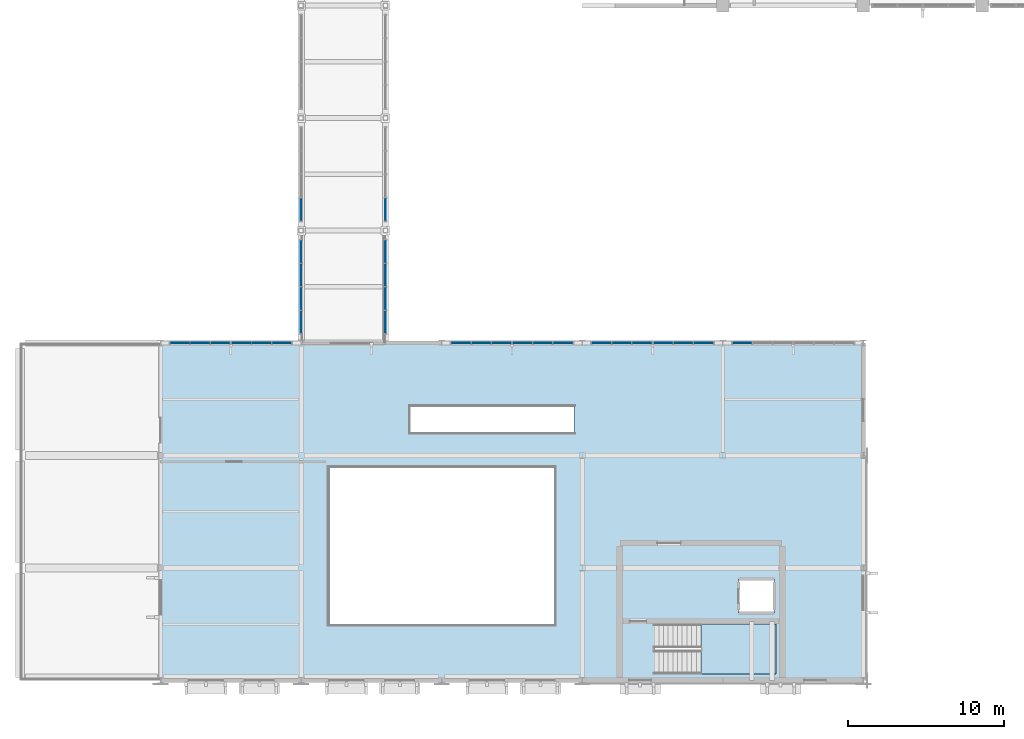
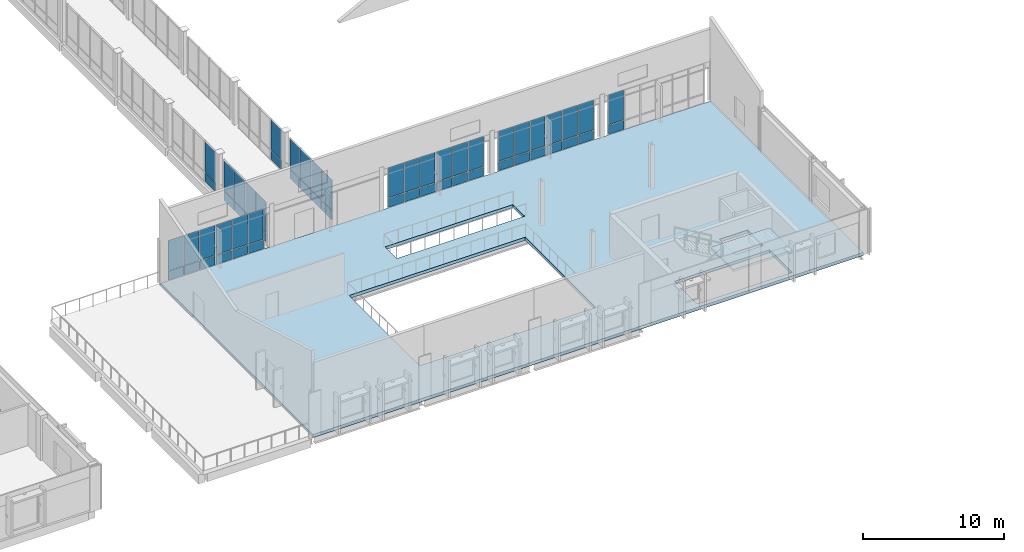
# One storey, part 44 of 85: 58 plates, 2 slabs, 12 elements without a shape of their own.
"""IFC4 building model written with IfcOpenShell, lengths in metres."""

from ifc_helpers import new_model, si_unit, direction, frame, origin, origin_2d, place, context, subcontext, project, spatial, polyline, rectangle, outline, extrude, material, layer, layer_set, type_object, element, aggregate, save


model = new_model("IFC4")

# Units and contexts
model_context = context("Model", 3, precision=1e-05, world=origin(), true_north=direction((0.0, 1.0)))
body_context = subcontext(model_context, "Body", "Model", "MODEL_VIEW")
ifc_project = project(units=[si_unit("LENGTHUNIT", "METRE"), si_unit("AREAUNIT", "SQUARE_METRE"), si_unit("VOLUMEUNIT", "CUBIC_METRE"), si_unit("PLANEANGLEUNIT", "RADIAN"), si_unit("MASSUNIT", "GRAM", prefix="KILO")], contexts=[model_context])

# Site, building, storey
site_placement = place(None, origin())
site = spatial("IfcSite", under=ifc_project, at=site_placement, CompositionType="ELEMENT")
building_placement = place(site_placement, origin())
building = spatial("IfcBuilding", under=site, at=building_placement, Name="Vervanel Yard Central Library", CompositionType="ELEMENT")
storey_placement = place(building_placement, frame((0.0, 0.0, 5.10009765625)))
storey = spatial("IfcBuildingStorey", under=building, at=storey_placement, Name="L01", CompositionType="ELEMENT", Elevation=5.10009765625)

# Curtain wall, plates
ifc_material_1 = material(Name="Thermally broken anodized aluminium 6063-T6", Category="aluminium")
curtain_wall_type_1 = type_object("IfcCurtainWallType", Name="Boulevard Cafe & Bridge Curtain Wall", PredefinedType="NOTDEFINED", material=ifc_material_1)
curtain_wall_1_placement = place(storey_placement, origin())
curtain_wall_1 = element("IfcCurtainWall", 1, at=curtain_wall_1_placement, inside=storey, type_object=curtain_wall_type_1, Name="L01 Boulevard Cafe & Bridge Curtain Wall CWR-L01-176", PredefinedType="NOTDEFINED")
ifc_material_2 = material(Name="Insulated bronze aluminium spandrel panel", Category="aluminium")
ifc_layer_1 = layer(ifc_material_2, 0.070068359375, Category="aluminium")
ifc_layer_set_1 = layer_set([ifc_layer_1], Name="Insulated bronze aluminium spandrel panel")
plate_type_1 = type_object("IfcPlateType", Name="Bridge Fascia Spandrel Panel 70", PredefinedType="CURTAIN_PANEL", material=ifc_layer_set_1)
plate_1_placement = place(storey_placement, frame((72.0, 22.9423828125, 0.06005859375), z_axis=(0.0, 0.0, 1.0), x_axis=(0.0, 1.0, 0.0)))
plate_1 = element("IfcPlate", 2, at=plate_1_placement, type_object=plate_type_1, Name="CWR-L01-176 Panel B1-1", PredefinedType="CURTAIN_PANEL", context=body_context, shape_type="SweptSolid", body=[
    extrude(rectangle(XDim=1.445068359375, YDim=0.070068359375, at=origin_2d()), origin(), (0.0, 0.0, 1.0), 0.760009765625),
])
plate_2_placement = place(storey_placement, frame((72.0, 24.447509765625, 0.06005859375), z_axis=(0.0, 0.0, 1.0), x_axis=(0.0, 1.0, 0.0)))
plate_2 = element("IfcPlate", 3, at=plate_2_placement, type_object=plate_type_1, Name="CWR-L01-176 Panel B2-1", PredefinedType="CURTAIN_PANEL", context=body_context, shape_type="SweptSolid", body=[
    extrude(rectangle(XDim=1.445068359375, YDim=0.070068359375, at=origin_2d()), origin(), (0.0, 0.0, 1.0), 0.760009765625),
])
plate_3_placement = place(storey_placement, frame((72.0, 25.952392578125, 0.06005859375), z_axis=(0.0, 0.0, 1.0), x_axis=(0.0, 1.0, 0.0)))
plate_3 = element("IfcPlate", 4, at=plate_3_placement, type_object=plate_type_1, Name="CWR-L01-176 Panel B3-1", PredefinedType="CURTAIN_PANEL", context=body_context, shape_type="SweptSolid", body=[
    extrude(rectangle(XDim=1.445068359375, YDim=0.070068359375, at=origin_2d()), origin(), (0.0, 0.0, 1.0), 0.760009765625),
])
plate_4_placement = place(storey_placement, frame((72.0, 27.45751953125, 0.06005859375), z_axis=(0.0, 0.0, 1.0), x_axis=(0.0, 1.0, 0.0)))
plate_4 = element("IfcPlate", 5, at=plate_4_placement, type_object=plate_type_1, Name="CWR-L01-176 Panel B4-1", PredefinedType="CURTAIN_PANEL", context=body_context, shape_type="SweptSolid", body=[
    extrude(rectangle(XDim=1.445068359375, YDim=0.070068359375, at=origin_2d()), origin(), (0.0, 0.0, 1.0), 0.760009765625),
])

# Curtain wall, plate
curtain_wall_2_placement = place(storey_placement, origin())
curtain_wall_2 = element("IfcCurtainWall", 6, at=curtain_wall_2_placement, inside=storey, type_object=curtain_wall_type_1, Name="L01 Boulevard Cafe & Bridge Curtain Wall CWR-L01-177", PredefinedType="NOTDEFINED")
plate_5_placement = place(storey_placement, frame((72.0, 30.142578125, 0.06005859375), z_axis=(0.0, 0.0, 1.0), x_axis=(0.0, 1.0, 0.0)))
plate_5 = element("IfcPlate", 7, at=plate_5_placement, type_object=plate_type_1, Name="CWR-L01-177 Panel B1-1", PredefinedType="CURTAIN_PANEL", context=body_context, shape_type="SweptSolid", body=[
    extrude(rectangle(XDim=1.445068359375, YDim=0.070068359375, at=origin_2d()), origin(), (0.0, 0.0, 1.0), 0.760009765625),
])

# Curtain wall, plates
curtain_wall_3_placement = place(storey_placement, origin())
curtain_wall_3 = element("IfcCurtainWall", 8, at=curtain_wall_3_placement, inside=storey, type_object=curtain_wall_type_1, Name="L01 Boulevard Cafe & Bridge Curtain Wall CWR-L01-184", PredefinedType="NOTDEFINED")
plate_6_placement = place(storey_placement, frame((77.39990234375, 22.9423828125, 0.06005859375), z_axis=(0.0, 0.0, 1.0), x_axis=(0.0, 1.0, 0.0)))
plate_6 = element("IfcPlate", 9, at=plate_6_placement, type_object=plate_type_1, Name="CWR-L01-184 Panel B1-1", PredefinedType="CURTAIN_PANEL", context=body_context, shape_type="SweptSolid", body=[
    extrude(rectangle(XDim=1.445068359375, YDim=0.070068359375, at=origin_2d()), origin(), (0.0, 0.0, 1.0), 0.760009765625),
])
plate_7_placement = place(storey_placement, frame((77.39990234375, 24.447509765625, 0.06005859375), z_axis=(0.0, 0.0, 1.0), x_axis=(0.0, 1.0, 0.0)))
plate_7 = element("IfcPlate", 10, at=plate_7_placement, type_object=plate_type_1, Name="CWR-L01-184 Panel B2-1", PredefinedType="CURTAIN_PANEL", context=body_context, shape_type="SweptSolid", body=[
    extrude(rectangle(XDim=1.445068359375, YDim=0.070068359375, at=origin_2d()), origin(), (0.0, 0.0, 1.0), 0.760009765625),
])
plate_8_placement = place(storey_placement, frame((77.39990234375, 25.952392578125, 0.06005859375), z_axis=(0.0, 0.0, 1.0), x_axis=(0.0, 1.0, 0.0)))
plate_8 = element("IfcPlate", 11, at=plate_8_placement, type_object=plate_type_1, Name="CWR-L01-184 Panel B3-1", PredefinedType="CURTAIN_PANEL", context=body_context, shape_type="SweptSolid", body=[
    extrude(rectangle(XDim=1.445068359375, YDim=0.070068359375, at=origin_2d()), origin(), (0.0, 0.0, 1.0), 0.760009765625),
])
plate_9_placement = place(storey_placement, frame((77.39990234375, 27.45751953125, 0.06005859375), z_axis=(0.0, 0.0, 1.0), x_axis=(0.0, 1.0, 0.0)))
plate_9 = element("IfcPlate", 12, at=plate_9_placement, type_object=plate_type_1, Name="CWR-L01-184 Panel B4-1", PredefinedType="CURTAIN_PANEL", context=body_context, shape_type="SweptSolid", body=[
    extrude(rectangle(XDim=1.445068359375, YDim=0.070068359375, at=origin_2d()), origin(), (0.0, 0.0, 1.0), 0.760009765625),
])

# Curtain wall, plate
curtain_wall_4_placement = place(storey_placement, origin())
curtain_wall_4 = element("IfcCurtainWall", 13, at=curtain_wall_4_placement, inside=storey, type_object=curtain_wall_type_1, Name="L01 Boulevard Cafe & Bridge Curtain Wall CWR-L01-185", PredefinedType="NOTDEFINED")
plate_10_placement = place(storey_placement, frame((77.39990234375, 30.142578125, 0.06005859375), z_axis=(0.0, 0.0, 1.0), x_axis=(0.0, 1.0, 0.0)))
plate_10 = element("IfcPlate", 14, at=plate_10_placement, type_object=plate_type_1, Name="CWR-L01-185 Panel B1-1", PredefinedType="CURTAIN_PANEL", context=body_context, shape_type="SweptSolid", body=[
    extrude(rectangle(XDim=1.445068359375, YDim=0.070068359375, at=origin_2d()), origin(), (0.0, 0.0, 1.0), 0.760009765625),
])

# Plate
ifc_material_3 = material(Name="Double low-E laminated solar-control glass", Category="glass")
ifc_layer_2 = layer(ifc_material_3, 0.028076171875, Category="glass")
ifc_layer_set_2 = layer_set([ifc_layer_2], Name="Double low-E laminated solar-control glass")
plate_type_2 = type_object("IfcPlateType", Name="Bridge UV-Filtered Vision Panel 28", PredefinedType="CURTAIN_PANEL", material=ifc_layer_set_2)
plate_11_placement = place(storey_placement, frame((72.0, 22.9423828125, 0.8798828125), z_axis=(0.0, 0.0, 1.0), x_axis=(0.0, 1.0, 0.0)))
plate_11 = element("IfcPlate", 15, at=plate_11_placement, type_object=plate_type_2, Name="CWR-L01-176 Panel B1-2", PredefinedType="CURTAIN_PANEL", context=body_context, shape_type="SweptSolid", body=[
    extrude(rectangle(XDim=1.445068359375, YDim=0.028076171875, at=origin_2d()), origin(), (0.0, 0.0, 1.0), 2.590087890625),
])

plate_12_placement = place(storey_placement, frame((72.0, 24.447509765625, 0.8798828125), z_axis=(0.0, 0.0, 1.0), x_axis=(0.0, 1.0, 0.0)))
plate_12 = element("IfcPlate", 16, at=plate_12_placement, type_object=plate_type_2, Name="CWR-L01-176 Panel B2-2", PredefinedType="CURTAIN_PANEL", context=body_context, shape_type="SweptSolid", body=[
    extrude(rectangle(XDim=1.445068359375, YDim=0.028076171875, at=origin_2d()), origin(), (0.0, 0.0, 1.0), 2.590087890625),
])

plate_13_placement = place(storey_placement, frame((72.0, 25.952392578125, 0.8798828125), z_axis=(0.0, 0.0, 1.0), x_axis=(0.0, 1.0, 0.0)))
plate_13 = element("IfcPlate", 17, at=plate_13_placement, type_object=plate_type_2, Name="CWR-L01-176 Panel B3-2", PredefinedType="CURTAIN_PANEL", context=body_context, shape_type="SweptSolid", body=[
    extrude(rectangle(XDim=1.445068359375, YDim=0.028076171875, at=origin_2d()), origin(), (0.0, 0.0, 1.0), 2.590087890625),
])

plate_14_placement = place(storey_placement, frame((72.0, 27.45751953125, 0.8798828125), z_axis=(0.0, 0.0, 1.0), x_axis=(0.0, 1.0, 0.0)))
plate_14 = element("IfcPlate", 18, at=plate_14_placement, type_object=plate_type_2, Name="CWR-L01-176 Panel B4-2", PredefinedType="CURTAIN_PANEL", context=body_context, shape_type="SweptSolid", body=[
    extrude(rectangle(XDim=1.445068359375, YDim=0.028076171875, at=origin_2d()), origin(), (0.0, 0.0, 1.0), 2.590087890625),
])

aggregate(curtain_wall_1, [plate_1, plate_11, plate_2, plate_12, plate_3, plate_13, plate_4, plate_14])

plate_15_placement = place(storey_placement, frame((72.0, 30.142578125, 0.8798828125), z_axis=(0.0, 0.0, 1.0), x_axis=(0.0, 1.0, 0.0)))
plate_15 = element("IfcPlate", 19, at=plate_15_placement, type_object=plate_type_2, Name="CWR-L01-177 Panel B1-2", PredefinedType="CURTAIN_PANEL", context=body_context, shape_type="SweptSolid", body=[
    extrude(rectangle(XDim=1.445068359375, YDim=0.028076171875, at=origin_2d()), origin(), (0.0, 0.0, 1.0), 2.590087890625),
])

aggregate(curtain_wall_2, [plate_5, plate_15])

plate_16_placement = place(storey_placement, frame((77.39990234375, 22.9423828125, 0.8798828125), z_axis=(0.0, 0.0, 1.0), x_axis=(0.0, 1.0, 0.0)))
plate_16 = element("IfcPlate", 20, at=plate_16_placement, type_object=plate_type_2, Name="CWR-L01-184 Panel B1-2", PredefinedType="CURTAIN_PANEL", context=body_context, shape_type="SweptSolid", body=[
    extrude(rectangle(XDim=1.445068359375, YDim=0.028076171875, at=origin_2d()), origin(), (0.0, 0.0, 1.0), 2.590087890625),
])

plate_17_placement = place(storey_placement, frame((77.39990234375, 24.447509765625, 0.8798828125), z_axis=(0.0, 0.0, 1.0), x_axis=(0.0, 1.0, 0.0)))
plate_17 = element("IfcPlate", 21, at=plate_17_placement, type_object=plate_type_2, Name="CWR-L01-184 Panel B2-2", PredefinedType="CURTAIN_PANEL", context=body_context, shape_type="SweptSolid", body=[
    extrude(rectangle(XDim=1.445068359375, YDim=0.028076171875, at=origin_2d()), origin(), (0.0, 0.0, 1.0), 2.590087890625),
])

plate_18_placement = place(storey_placement, frame((77.39990234375, 25.952392578125, 0.8798828125), z_axis=(0.0, 0.0, 1.0), x_axis=(0.0, 1.0, 0.0)))
plate_18 = element("IfcPlate", 22, at=plate_18_placement, type_object=plate_type_2, Name="CWR-L01-184 Panel B3-2", PredefinedType="CURTAIN_PANEL", context=body_context, shape_type="SweptSolid", body=[
    extrude(rectangle(XDim=1.445068359375, YDim=0.028076171875, at=origin_2d()), origin(), (0.0, 0.0, 1.0), 2.590087890625),
])

plate_19_placement = place(storey_placement, frame((77.39990234375, 27.45751953125, 0.8798828125), z_axis=(0.0, 0.0, 1.0), x_axis=(0.0, 1.0, 0.0)))
plate_19 = element("IfcPlate", 23, at=plate_19_placement, type_object=plate_type_2, Name="CWR-L01-184 Panel B4-2", PredefinedType="CURTAIN_PANEL", context=body_context, shape_type="SweptSolid", body=[
    extrude(rectangle(XDim=1.445068359375, YDim=0.028076171875, at=origin_2d()), origin(), (0.0, 0.0, 1.0), 2.590087890625),
])

aggregate(curtain_wall_3, [plate_6, plate_16, plate_7, plate_17, plate_8, plate_18, plate_9, plate_19])

plate_20_placement = place(storey_placement, frame((77.39990234375, 30.142578125, 0.8798828125), z_axis=(0.0, 0.0, 1.0), x_axis=(0.0, 1.0, 0.0)))
plate_20 = element("IfcPlate", 24, at=plate_20_placement, type_object=plate_type_2, Name="CWR-L01-185 Panel B1-2", PredefinedType="CURTAIN_PANEL", context=body_context, shape_type="SweptSolid", body=[
    extrude(rectangle(XDim=1.445068359375, YDim=0.028076171875, at=origin_2d()), origin(), (0.0, 0.0, 1.0), 2.590087890625),
])

aggregate(curtain_wall_4, [plate_10, plate_20])

# Stair, slab
ifc_material_4 = material(Name="Concrete C40/50", Category="concrete")
stair_type = type_object("IfcStairType", Name="Protected Core Dog-Leg Stair ST-06", PredefinedType="HALF_TURN_STAIR", material=ifc_material_4)
stair_placement = place(storey_placement, origin())
stair = element("IfcStair", 25, at=stair_placement, inside=storey, type_object=stair_type, Name="L01 CORE-F Protected Exit Stair", PredefinedType="HALF_TURN_STAIR")
ifc_layer_3 = layer(ifc_material_4, 0.199951171875, Category="concrete")
ifc_layer_set_3 = layer_set([ifc_layer_3], Name="Concrete C40/50")
slab_type_1 = type_object("IfcSlabType", Name="Core Stair Concrete Landing Slab 200", PredefinedType="LANDING", material=ifc_layer_set_3)
slab_1_placement = place(storey_placement, frame((0.0, 0.0, 1.719970703125)))
slab_1 = element("IfcSlab", 26, at=slab_1_placement, type_object=slab_type_1, Name="ST-06 landing 1", PredefinedType="LANDING", context=body_context, shape_type="SweptSolid", body=[
    extrude(outline(polyline([(97.60009765625, 0.39990234375), (102.39990234375, 0.39990234375), (102.39990234375, 3.60009765625), (97.60009765625, 3.60009765625), (97.60009765625, 0.39990234375)])), origin(), (0.0, 0.0, 1.0), 0.199951171875),
])
aggregate(stair, [slab_1])

# Curtain wall, plates
curtain_wall_type_2 = type_object("IfcCurtainWallType", Name="Children's Courtyard Curtain Wall", PredefinedType="NOTDEFINED", material=ifc_material_1)
curtain_wall_5_placement = place(storey_placement, origin())
curtain_wall_5 = element("IfcCurtainWall", 27, at=curtain_wall_5_placement, inside=storey, type_object=curtain_wall_type_2, Name="L01 Children's Courtyard Curtain Wall CWR-L01-166", PredefinedType="NOTDEFINED")
ifc_layer_4 = layer(ifc_material_3, 0.030029296875, Category="glass")
ifc_layer_set_4 = layer_set([ifc_layer_4], Name="Double low-E laminated solar-control glass")
plate_type_3 = type_object("IfcPlateType", Name="Courtyard Clear Low-E Panel 30", PredefinedType="CURTAIN_PANEL", material=ifc_layer_set_4)
plate_21_placement = place(storey_placement, frame((64.236572265625, 21.60009765625, 0.8798828125), z_axis=(0.0, 0.0, 1.0), x_axis=(1.0, 0.0, 0.0)))
plate_21 = element("IfcPlate", 28, at=plate_21_placement, type_object=plate_type_3, Name="CWR-L01-166 Panel B1-2", PredefinedType="CURTAIN_PANEL", context=body_context, shape_type="SweptSolid", body=[
    extrude(rectangle(XDim=1.2333984375, YDim=0.030029296875, at=origin_2d()), origin(), (0.0, 0.0, 1.0), 2.590087890625),
])
plate_22_placement = place(storey_placement, frame((65.530029296875, 21.60009765625, 0.8798828125), z_axis=(0.0, 0.0, 1.0), x_axis=(1.0, 0.0, 0.0)))
plate_22 = element("IfcPlate", 29, at=plate_22_placement, type_object=plate_type_3, Name="CWR-L01-166 Panel B2-2", PredefinedType="CURTAIN_PANEL", context=body_context, shape_type="SweptSolid", body=[
    extrude(rectangle(XDim=1.2333984375, YDim=0.030029296875, at=origin_2d()), origin(), (0.0, 0.0, 1.0), 2.590087890625),
])
plate_23_placement = place(storey_placement, frame((66.8232421875, 21.60009765625, 0.8798828125), z_axis=(0.0, 0.0, 1.0), x_axis=(1.0, 0.0, 0.0)))
plate_23 = element("IfcPlate", 30, at=plate_23_placement, type_object=plate_type_3, Name="CWR-L01-166 Panel B3-2", PredefinedType="CURTAIN_PANEL", context=body_context, shape_type="SweptSolid", body=[
    extrude(rectangle(XDim=1.2333984375, YDim=0.030029296875, at=origin_2d()), origin(), (0.0, 0.0, 1.0), 2.590087890625),
])

curtain_wall_6_placement = place(storey_placement, origin())
curtain_wall_6 = element("IfcCurtainWall", 31, at=curtain_wall_6_placement, inside=storey, type_object=curtain_wall_type_2, Name="L01 Children's Courtyard Curtain Wall CWR-L01-167", PredefinedType="NOTDEFINED")
plate_24_placement = place(storey_placement, frame((68.1767578125, 21.60009765625, 0.8798828125), z_axis=(0.0, 0.0, 1.0), x_axis=(1.0, 0.0, 0.0)))
plate_24 = element("IfcPlate", 32, at=plate_24_placement, type_object=plate_type_3, Name="CWR-L01-167 Panel B1-2", PredefinedType="CURTAIN_PANEL", context=body_context, shape_type="SweptSolid", body=[
    extrude(rectangle(XDim=1.2333984375, YDim=0.030029296875, at=origin_2d()), origin(), (0.0, 0.0, 1.0), 2.590087890625),
])
plate_25_placement = place(storey_placement, frame((69.469970703125, 21.60009765625, 0.8798828125), z_axis=(0.0, 0.0, 1.0), x_axis=(1.0, 0.0, 0.0)))
plate_25 = element("IfcPlate", 33, at=plate_25_placement, type_object=plate_type_3, Name="CWR-L01-167 Panel B2-2", PredefinedType="CURTAIN_PANEL", context=body_context, shape_type="SweptSolid", body=[
    extrude(rectangle(XDim=1.2333984375, YDim=0.030029296875, at=origin_2d()), origin(), (0.0, 0.0, 1.0), 2.590087890625),
])
plate_26_placement = place(storey_placement, frame((70.763427734375, 21.60009765625, 0.8798828125), z_axis=(0.0, 0.0, 1.0), x_axis=(1.0, 0.0, 0.0)))
plate_26 = element("IfcPlate", 34, at=plate_26_placement, type_object=plate_type_3, Name="CWR-L01-167 Panel B3-2", PredefinedType="CURTAIN_PANEL", context=body_context, shape_type="SweptSolid", body=[
    extrude(rectangle(XDim=1.2333984375, YDim=0.030029296875, at=origin_2d()), origin(), (0.0, 0.0, 1.0), 2.590087890625),
])

curtain_wall_7_placement = place(storey_placement, origin())
curtain_wall_7 = element("IfcCurtainWall", 35, at=curtain_wall_7_placement, inside=storey, type_object=curtain_wall_type_2, Name="L01 Children's Courtyard Curtain Wall CWR-L01-170", PredefinedType="NOTDEFINED")
plate_27_placement = place(storey_placement, frame((82.236572265625, 21.60009765625, 0.8798828125), z_axis=(0.0, 0.0, 1.0), x_axis=(1.0, 0.0, 0.0)))
plate_27 = element("IfcPlate", 36, at=plate_27_placement, type_object=plate_type_3, Name="CWR-L01-170 Panel B1-2", PredefinedType="CURTAIN_PANEL", context=body_context, shape_type="SweptSolid", body=[
    extrude(rectangle(XDim=1.2333984375, YDim=0.030029296875, at=origin_2d()), origin(), (0.0, 0.0, 1.0), 2.590087890625),
])
plate_28_placement = place(storey_placement, frame((83.530029296875, 21.60009765625, 0.8798828125), z_axis=(0.0, 0.0, 1.0), x_axis=(1.0, 0.0, 0.0)))
plate_28 = element("IfcPlate", 37, at=plate_28_placement, type_object=plate_type_3, Name="CWR-L01-170 Panel B2-2", PredefinedType="CURTAIN_PANEL", context=body_context, shape_type="SweptSolid", body=[
    extrude(rectangle(XDim=1.2333984375, YDim=0.030029296875, at=origin_2d()), origin(), (0.0, 0.0, 1.0), 2.590087890625),
])
plate_29_placement = place(storey_placement, frame((84.8232421875, 21.60009765625, 0.8798828125), z_axis=(0.0, 0.0, 1.0), x_axis=(1.0, 0.0, 0.0)))
plate_29 = element("IfcPlate", 38, at=plate_29_placement, type_object=plate_type_3, Name="CWR-L01-170 Panel B3-2", PredefinedType="CURTAIN_PANEL", context=body_context, shape_type="SweptSolid", body=[
    extrude(rectangle(XDim=1.2333984375, YDim=0.030029296875, at=origin_2d()), origin(), (0.0, 0.0, 1.0), 2.590087890625),
])

curtain_wall_8_placement = place(storey_placement, origin())
curtain_wall_8 = element("IfcCurtainWall", 39, at=curtain_wall_8_placement, inside=storey, type_object=curtain_wall_type_2, Name="L01 Children's Courtyard Curtain Wall CWR-L01-171", PredefinedType="NOTDEFINED")
plate_30_placement = place(storey_placement, frame((86.1767578125, 21.60009765625, 0.8798828125), z_axis=(0.0, 0.0, 1.0), x_axis=(1.0, 0.0, 0.0)))
plate_30 = element("IfcPlate", 40, at=plate_30_placement, type_object=plate_type_3, Name="CWR-L01-171 Panel B1-2", PredefinedType="CURTAIN_PANEL", context=body_context, shape_type="SweptSolid", body=[
    extrude(rectangle(XDim=1.2333984375, YDim=0.030029296875, at=origin_2d()), origin(), (0.0, 0.0, 1.0), 2.590087890625),
])
plate_31_placement = place(storey_placement, frame((87.469970703125, 21.60009765625, 0.8798828125), z_axis=(0.0, 0.0, 1.0), x_axis=(1.0, 0.0, 0.0)))
plate_31 = element("IfcPlate", 41, at=plate_31_placement, type_object=plate_type_3, Name="CWR-L01-171 Panel B2-2", PredefinedType="CURTAIN_PANEL", context=body_context, shape_type="SweptSolid", body=[
    extrude(rectangle(XDim=1.2333984375, YDim=0.030029296875, at=origin_2d()), origin(), (0.0, 0.0, 1.0), 2.590087890625),
])
plate_32_placement = place(storey_placement, frame((88.763427734375, 21.60009765625, 0.8798828125), z_axis=(0.0, 0.0, 1.0), x_axis=(1.0, 0.0, 0.0)))
plate_32 = element("IfcPlate", 42, at=plate_32_placement, type_object=plate_type_3, Name="CWR-L01-171 Panel B3-2", PredefinedType="CURTAIN_PANEL", context=body_context, shape_type="SweptSolid", body=[
    extrude(rectangle(XDim=1.2333984375, YDim=0.030029296875, at=origin_2d()), origin(), (0.0, 0.0, 1.0), 2.590087890625),
])

curtain_wall_9_placement = place(storey_placement, origin())
curtain_wall_9 = element("IfcCurtainWall", 43, at=curtain_wall_9_placement, inside=storey, type_object=curtain_wall_type_2, Name="L01 Children's Courtyard Curtain Wall CWR-L01-172", PredefinedType="NOTDEFINED")
plate_33_placement = place(storey_placement, frame((91.236572265625, 21.60009765625, 0.8798828125), z_axis=(0.0, 0.0, 1.0), x_axis=(1.0, 0.0, 0.0)))
plate_33 = element("IfcPlate", 44, at=plate_33_placement, type_object=plate_type_3, Name="CWR-L01-172 Panel B1-2", PredefinedType="CURTAIN_PANEL", context=body_context, shape_type="SweptSolid", body=[
    extrude(rectangle(XDim=1.2333984375, YDim=0.030029296875, at=origin_2d()), origin(), (0.0, 0.0, 1.0), 2.590087890625),
])
plate_34_placement = place(storey_placement, frame((92.530029296875, 21.60009765625, 0.8798828125), z_axis=(0.0, 0.0, 1.0), x_axis=(1.0, 0.0, 0.0)))
plate_34 = element("IfcPlate", 45, at=plate_34_placement, type_object=plate_type_3, Name="CWR-L01-172 Panel B2-2", PredefinedType="CURTAIN_PANEL", context=body_context, shape_type="SweptSolid", body=[
    extrude(rectangle(XDim=1.2333984375, YDim=0.030029296875, at=origin_2d()), origin(), (0.0, 0.0, 1.0), 2.590087890625),
])
plate_35_placement = place(storey_placement, frame((93.8232421875, 21.60009765625, 0.8798828125), z_axis=(0.0, 0.0, 1.0), x_axis=(1.0, 0.0, 0.0)))
plate_35 = element("IfcPlate", 46, at=plate_35_placement, type_object=plate_type_3, Name="CWR-L01-172 Panel B3-2", PredefinedType="CURTAIN_PANEL", context=body_context, shape_type="SweptSolid", body=[
    extrude(rectangle(XDim=1.2333984375, YDim=0.030029296875, at=origin_2d()), origin(), (0.0, 0.0, 1.0), 2.590087890625),
])

curtain_wall_10_placement = place(storey_placement, origin())
curtain_wall_10 = element("IfcCurtainWall", 47, at=curtain_wall_10_placement, inside=storey, type_object=curtain_wall_type_2, Name="L01 Children's Courtyard Curtain Wall CWR-L01-173", PredefinedType="NOTDEFINED")
plate_36_placement = place(storey_placement, frame((95.1767578125, 21.60009765625, 0.8798828125), z_axis=(0.0, 0.0, 1.0), x_axis=(1.0, 0.0, 0.0)))
plate_36 = element("IfcPlate", 48, at=plate_36_placement, type_object=plate_type_3, Name="CWR-L01-173 Panel B1-2", PredefinedType="CURTAIN_PANEL", context=body_context, shape_type="SweptSolid", body=[
    extrude(rectangle(XDim=1.2333984375, YDim=0.030029296875, at=origin_2d()), origin(), (0.0, 0.0, 1.0), 2.590087890625),
])
plate_37_placement = place(storey_placement, frame((96.469970703125, 21.60009765625, 0.8798828125), z_axis=(0.0, 0.0, 1.0), x_axis=(1.0, 0.0, 0.0)))
plate_37 = element("IfcPlate", 49, at=plate_37_placement, type_object=plate_type_3, Name="CWR-L01-173 Panel B2-2", PredefinedType="CURTAIN_PANEL", context=body_context, shape_type="SweptSolid", body=[
    extrude(rectangle(XDim=1.2333984375, YDim=0.030029296875, at=origin_2d()), origin(), (0.0, 0.0, 1.0), 2.590087890625),
])
plate_38_placement = place(storey_placement, frame((97.763427734375, 21.60009765625, 0.8798828125), z_axis=(0.0, 0.0, 1.0), x_axis=(1.0, 0.0, 0.0)))
plate_38 = element("IfcPlate", 50, at=plate_38_placement, type_object=plate_type_3, Name="CWR-L01-173 Panel B3-2", PredefinedType="CURTAIN_PANEL", context=body_context, shape_type="SweptSolid", body=[
    extrude(rectangle(XDim=1.2333984375, YDim=0.030029296875, at=origin_2d()), origin(), (0.0, 0.0, 1.0), 2.590087890625),
])

# Curtain wall, plate
curtain_wall_11_placement = place(storey_placement, origin())
curtain_wall_11 = element("IfcCurtainWall", 51, at=curtain_wall_11_placement, inside=storey, type_object=curtain_wall_type_2, Name="L01 Children's Courtyard Curtain Wall CWR-L01-174", PredefinedType="NOTDEFINED")
plate_39_placement = place(storey_placement, frame((100.236572265625, 21.60009765625, 0.8798828125), z_axis=(0.0, 0.0, 1.0), x_axis=(1.0, 0.0, 0.0)))
plate_39 = element("IfcPlate", 52, at=plate_39_placement, type_object=plate_type_3, Name="CWR-L01-174 Panel B1-2", PredefinedType="CURTAIN_PANEL", context=body_context, shape_type="SweptSolid", body=[
    extrude(rectangle(XDim=1.2333984375, YDim=0.030029296875, at=origin_2d()), origin(), (0.0, 0.0, 1.0), 2.590087890625),
])

# Slab
ifc_layer_5 = layer(ifc_material_4, 0.264892578125, Category="concrete")
ifc_layer_set_5 = layer_set([ifc_layer_5], Name="Concrete C40/50")
slab_type_2 = type_object("IfcSlabType", Name="Discovery Mezzanine Floor Slab 265", PredefinedType="FLOOR", material=ifc_layer_set_5)
slab_2_placement = place(storey_placement, frame((0.0, 0.0, -0.26513671875)))
element("IfcSlab", 53, at=slab_2_placement, inside=storey, type_object=slab_type_2, Name="L01 V5 Discovery Mezzanine Floor Slab 265", PredefinedType="FLOOR", context=body_context, shape_type="SweptSolid", body=[
    extrude(outline(polyline([(63.0, 0.0), (108.0, 0.0), (108.0, 21.60009765625), (63.0, 21.60009765625), (63.0, 0.0)]), holes=[polyline([(73.800048828125, 3.60009765625), (88.199951171875, 3.60009765625), (88.199951171875, 13.60009765625), (73.800048828125, 13.60009765625), (73.800048828125, 3.60009765625)]), polyline([(94.635009765625, 0.39990234375), (102.39990234375, 0.39990234375), (102.39990234375, 3.60009765625), (94.635009765625, 3.60009765625), (94.635009765625, 0.39990234375)]), polyline([(100.0, 4.300048828125), (102.300048828125, 4.300048828125), (102.300048828125, 6.5), (100.0, 6.5), (100.0, 4.300048828125)]), polyline([(79.0, 15.8701171875), (89.465087890625, 15.8701171875), (89.465087890625, 17.530029296875), (79.0, 17.530029296875), (79.0, 15.8701171875)])]), origin(), (0.0, 0.0, 1.0), 0.26513671875),
])

# Plate
ifc_layer_6 = layer(ifc_material_2, 0.080078125, Category="aluminium")
ifc_layer_set_6 = layer_set([ifc_layer_6], Name="Insulated bronze aluminium spandrel panel")
plate_type_4 = type_object("IfcPlateType", Name="Insulated Bronze Spandrel Panel 80", PredefinedType="CURTAIN_PANEL", material=ifc_layer_set_6)
plate_40_placement = place(storey_placement, frame((64.236572265625, 21.60009765625, 0.06005859375), z_axis=(0.0, 0.0, 1.0), x_axis=(1.0, 0.0, 0.0)))
plate_40 = element("IfcPlate", 54, at=plate_40_placement, type_object=plate_type_4, Name="CWR-L01-166 Panel B1-1", PredefinedType="CURTAIN_PANEL", context=body_context, shape_type="SweptSolid", body=[
    extrude(rectangle(XDim=1.2333984375, YDim=0.080078125, at=origin_2d()), origin(), (0.0, 0.0, 1.0), 0.760009765625),
])

plate_41_placement = place(storey_placement, frame((65.530029296875, 21.60009765625, 0.06005859375), z_axis=(0.0, 0.0, 1.0), x_axis=(1.0, 0.0, 0.0)))
plate_41 = element("IfcPlate", 55, at=plate_41_placement, type_object=plate_type_4, Name="CWR-L01-166 Panel B2-1", PredefinedType="CURTAIN_PANEL", context=body_context, shape_type="SweptSolid", body=[
    extrude(rectangle(XDim=1.2333984375, YDim=0.080078125, at=origin_2d()), origin(), (0.0, 0.0, 1.0), 0.760009765625),
])

plate_42_placement = place(storey_placement, frame((66.8232421875, 21.60009765625, 0.06005859375), z_axis=(0.0, 0.0, 1.0), x_axis=(1.0, 0.0, 0.0)))
plate_42 = element("IfcPlate", 56, at=plate_42_placement, type_object=plate_type_4, Name="CWR-L01-166 Panel B3-1", PredefinedType="CURTAIN_PANEL", context=body_context, shape_type="SweptSolid", body=[
    extrude(rectangle(XDim=1.2333984375, YDim=0.080078125, at=origin_2d()), origin(), (0.0, 0.0, 1.0), 0.760009765625),
])

aggregate(curtain_wall_5, [plate_40, plate_21, plate_41, plate_22, plate_42, plate_23])

plate_43_placement = place(storey_placement, frame((68.1767578125, 21.60009765625, 0.06005859375), z_axis=(0.0, 0.0, 1.0), x_axis=(1.0, 0.0, 0.0)))
plate_43 = element("IfcPlate", 57, at=plate_43_placement, type_object=plate_type_4, Name="CWR-L01-167 Panel B1-1", PredefinedType="CURTAIN_PANEL", context=body_context, shape_type="SweptSolid", body=[
    extrude(rectangle(XDim=1.2333984375, YDim=0.080078125, at=origin_2d()), origin(), (0.0, 0.0, 1.0), 0.760009765625),
])

plate_44_placement = place(storey_placement, frame((69.469970703125, 21.60009765625, 0.06005859375), z_axis=(0.0, 0.0, 1.0), x_axis=(1.0, 0.0, 0.0)))
plate_44 = element("IfcPlate", 58, at=plate_44_placement, type_object=plate_type_4, Name="CWR-L01-167 Panel B2-1", PredefinedType="CURTAIN_PANEL", context=body_context, shape_type="SweptSolid", body=[
    extrude(rectangle(XDim=1.2333984375, YDim=0.080078125, at=origin_2d()), origin(), (0.0, 0.0, 1.0), 0.760009765625),
])

plate_45_placement = place(storey_placement, frame((70.763427734375, 21.60009765625, 0.06005859375), z_axis=(0.0, 0.0, 1.0), x_axis=(1.0, 0.0, 0.0)))
plate_45 = element("IfcPlate", 59, at=plate_45_placement, type_object=plate_type_4, Name="CWR-L01-167 Panel B3-1", PredefinedType="CURTAIN_PANEL", context=body_context, shape_type="SweptSolid", body=[
    extrude(rectangle(XDim=1.2333984375, YDim=0.080078125, at=origin_2d()), origin(), (0.0, 0.0, 1.0), 0.760009765625),
])

aggregate(curtain_wall_6, [plate_43, plate_24, plate_44, plate_25, plate_45, plate_26])

plate_46_placement = place(storey_placement, frame((82.236572265625, 21.60009765625, 0.06005859375), z_axis=(0.0, 0.0, 1.0), x_axis=(1.0, 0.0, 0.0)))
plate_46 = element("IfcPlate", 60, at=plate_46_placement, type_object=plate_type_4, Name="CWR-L01-170 Panel B1-1", PredefinedType="CURTAIN_PANEL", context=body_context, shape_type="SweptSolid", body=[
    extrude(rectangle(XDim=1.2333984375, YDim=0.080078125, at=origin_2d()), origin(), (0.0, 0.0, 1.0), 0.760009765625),
])

plate_47_placement = place(storey_placement, frame((83.530029296875, 21.60009765625, 0.06005859375), z_axis=(0.0, 0.0, 1.0), x_axis=(1.0, 0.0, 0.0)))
plate_47 = element("IfcPlate", 61, at=plate_47_placement, type_object=plate_type_4, Name="CWR-L01-170 Panel B2-1", PredefinedType="CURTAIN_PANEL", context=body_context, shape_type="SweptSolid", body=[
    extrude(rectangle(XDim=1.2333984375, YDim=0.080078125, at=origin_2d()), origin(), (0.0, 0.0, 1.0), 0.760009765625),
])

plate_48_placement = place(storey_placement, frame((84.8232421875, 21.60009765625, 0.06005859375), z_axis=(0.0, 0.0, 1.0), x_axis=(1.0, 0.0, 0.0)))
plate_48 = element("IfcPlate", 62, at=plate_48_placement, type_object=plate_type_4, Name="CWR-L01-170 Panel B3-1", PredefinedType="CURTAIN_PANEL", context=body_context, shape_type="SweptSolid", body=[
    extrude(rectangle(XDim=1.2333984375, YDim=0.080078125, at=origin_2d()), origin(), (0.0, 0.0, 1.0), 0.760009765625),
])

aggregate(curtain_wall_7, [plate_46, plate_27, plate_47, plate_28, plate_48, plate_29])

plate_49_placement = place(storey_placement, frame((86.1767578125, 21.60009765625, 0.06005859375), z_axis=(0.0, 0.0, 1.0), x_axis=(1.0, 0.0, 0.0)))
plate_49 = element("IfcPlate", 63, at=plate_49_placement, type_object=plate_type_4, Name="CWR-L01-171 Panel B1-1", PredefinedType="CURTAIN_PANEL", context=body_context, shape_type="SweptSolid", body=[
    extrude(rectangle(XDim=1.2333984375, YDim=0.080078125, at=origin_2d()), origin(), (0.0, 0.0, 1.0), 0.760009765625),
])

plate_50_placement = place(storey_placement, frame((87.469970703125, 21.60009765625, 0.06005859375), z_axis=(0.0, 0.0, 1.0), x_axis=(1.0, 0.0, 0.0)))
plate_50 = element("IfcPlate", 64, at=plate_50_placement, type_object=plate_type_4, Name="CWR-L01-171 Panel B2-1", PredefinedType="CURTAIN_PANEL", context=body_context, shape_type="SweptSolid", body=[
    extrude(rectangle(XDim=1.2333984375, YDim=0.080078125, at=origin_2d()), origin(), (0.0, 0.0, 1.0), 0.760009765625),
])

plate_51_placement = place(storey_placement, frame((88.763427734375, 21.60009765625, 0.06005859375), z_axis=(0.0, 0.0, 1.0), x_axis=(1.0, 0.0, 0.0)))
plate_51 = element("IfcPlate", 65, at=plate_51_placement, type_object=plate_type_4, Name="CWR-L01-171 Panel B3-1", PredefinedType="CURTAIN_PANEL", context=body_context, shape_type="SweptSolid", body=[
    extrude(rectangle(XDim=1.2333984375, YDim=0.080078125, at=origin_2d()), origin(), (0.0, 0.0, 1.0), 0.760009765625),
])

aggregate(curtain_wall_8, [plate_49, plate_30, plate_50, plate_31, plate_51, plate_32])

plate_52_placement = place(storey_placement, frame((91.236572265625, 21.60009765625, 0.06005859375), z_axis=(0.0, 0.0, 1.0), x_axis=(1.0, 0.0, 0.0)))
plate_52 = element("IfcPlate", 66, at=plate_52_placement, type_object=plate_type_4, Name="CWR-L01-172 Panel B1-1", PredefinedType="CURTAIN_PANEL", context=body_context, shape_type="SweptSolid", body=[
    extrude(rectangle(XDim=1.2333984375, YDim=0.080078125, at=origin_2d()), origin(), (0.0, 0.0, 1.0), 0.760009765625),
])

plate_53_placement = place(storey_placement, frame((92.530029296875, 21.60009765625, 0.06005859375), z_axis=(0.0, 0.0, 1.0), x_axis=(1.0, 0.0, 0.0)))
plate_53 = element("IfcPlate", 67, at=plate_53_placement, type_object=plate_type_4, Name="CWR-L01-172 Panel B2-1", PredefinedType="CURTAIN_PANEL", context=body_context, shape_type="SweptSolid", body=[
    extrude(rectangle(XDim=1.2333984375, YDim=0.080078125, at=origin_2d()), origin(), (0.0, 0.0, 1.0), 0.760009765625),
])

plate_54_placement = place(storey_placement, frame((93.8232421875, 21.60009765625, 0.06005859375), z_axis=(0.0, 0.0, 1.0), x_axis=(1.0, 0.0, 0.0)))
plate_54 = element("IfcPlate", 68, at=plate_54_placement, type_object=plate_type_4, Name="CWR-L01-172 Panel B3-1", PredefinedType="CURTAIN_PANEL", context=body_context, shape_type="SweptSolid", body=[
    extrude(rectangle(XDim=1.2333984375, YDim=0.080078125, at=origin_2d()), origin(), (0.0, 0.0, 1.0), 0.760009765625),
])

aggregate(curtain_wall_9, [plate_52, plate_33, plate_53, plate_34, plate_54, plate_35])

plate_55_placement = place(storey_placement, frame((95.1767578125, 21.60009765625, 0.06005859375), z_axis=(0.0, 0.0, 1.0), x_axis=(1.0, 0.0, 0.0)))
plate_55 = element("IfcPlate", 69, at=plate_55_placement, type_object=plate_type_4, Name="CWR-L01-173 Panel B1-1", PredefinedType="CURTAIN_PANEL", context=body_context, shape_type="SweptSolid", body=[
    extrude(rectangle(XDim=1.2333984375, YDim=0.080078125, at=origin_2d()), origin(), (0.0, 0.0, 1.0), 0.760009765625),
])

plate_56_placement = place(storey_placement, frame((96.469970703125, 21.60009765625, 0.06005859375), z_axis=(0.0, 0.0, 1.0), x_axis=(1.0, 0.0, 0.0)))
plate_56 = element("IfcPlate", 70, at=plate_56_placement, type_object=plate_type_4, Name="CWR-L01-173 Panel B2-1", PredefinedType="CURTAIN_PANEL", context=body_context, shape_type="SweptSolid", body=[
    extrude(rectangle(XDim=1.2333984375, YDim=0.080078125, at=origin_2d()), origin(), (0.0, 0.0, 1.0), 0.760009765625),
])

plate_57_placement = place(storey_placement, frame((97.763427734375, 21.60009765625, 0.06005859375), z_axis=(0.0, 0.0, 1.0), x_axis=(1.0, 0.0, 0.0)))
plate_57 = element("IfcPlate", 71, at=plate_57_placement, type_object=plate_type_4, Name="CWR-L01-173 Panel B3-1", PredefinedType="CURTAIN_PANEL", context=body_context, shape_type="SweptSolid", body=[
    extrude(rectangle(XDim=1.2333984375, YDim=0.080078125, at=origin_2d()), origin(), (0.0, 0.0, 1.0), 0.760009765625),
])

aggregate(curtain_wall_10, [plate_55, plate_36, plate_56, plate_37, plate_57, plate_38])

plate_58_placement = place(storey_placement, frame((100.236572265625, 21.60009765625, 0.06005859375), z_axis=(0.0, 0.0, 1.0), x_axis=(1.0, 0.0, 0.0)))
plate_58 = element("IfcPlate", 72, at=plate_58_placement, type_object=plate_type_4, Name="CWR-L01-174 Panel B1-1", PredefinedType="CURTAIN_PANEL", context=body_context, shape_type="SweptSolid", body=[
    extrude(rectangle(XDim=1.2333984375, YDim=0.080078125, at=origin_2d()), origin(), (0.0, 0.0, 1.0), 0.760009765625),
])

aggregate(curtain_wall_11, [plate_58, plate_39])

save(model, "model.ifc")
